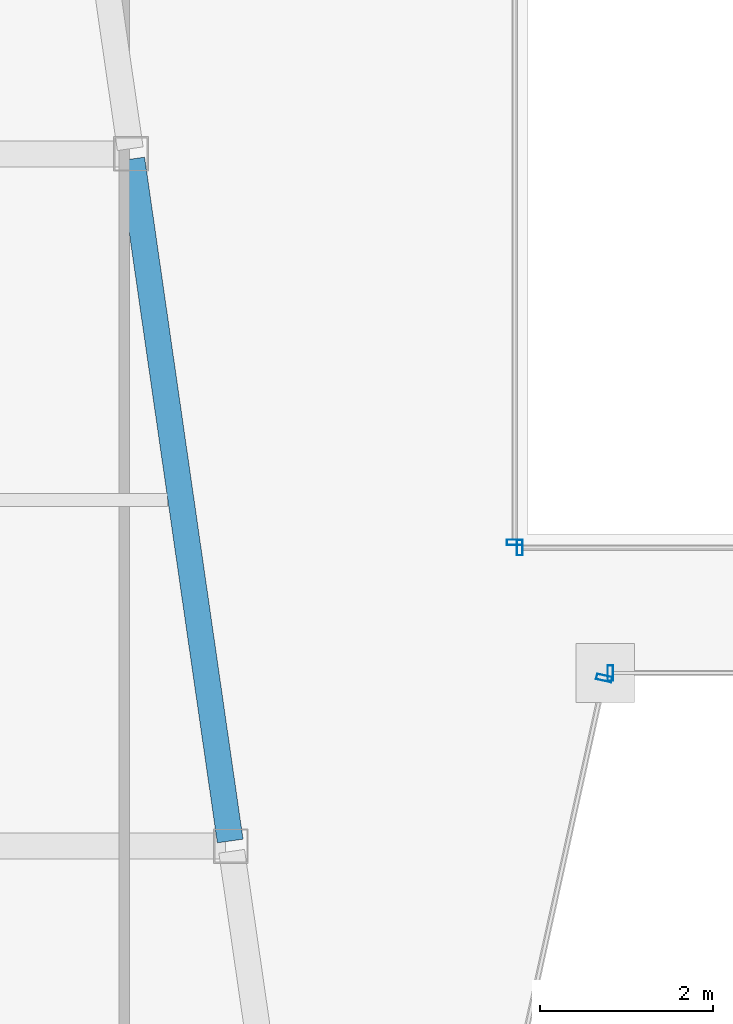
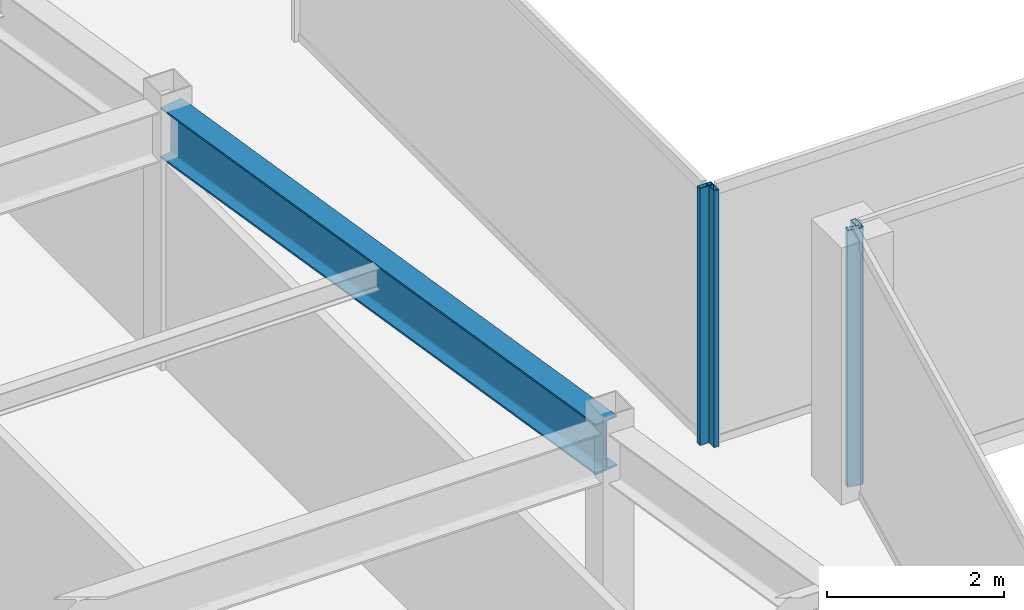
# One storey, part 7 of 36: 4 members, 1 beam, 4 elements without a shape of their own.
"""IFC4 building model written with IfcOpenShell, lengths in metres."""

from ifc_helpers import new_model, si_unit, direction, frame, origin, origin_2d, place, context, subcontext, project, spatial, hollow_rectangle, i_section, extrude, material, material_profile, profile_set, type_object, element, aggregate, save


model = new_model("IFC4")

# Units and contexts
model_context = context("Model", 3, precision=1e-05, world=origin(), true_north=direction((0.0, 1.0)))
body_context = subcontext(model_context, "Body", "Model", "MODEL_VIEW")
ifc_project = project(units=[si_unit("LENGTHUNIT", "METRE"), si_unit("AREAUNIT", "SQUARE_METRE"), si_unit("VOLUMEUNIT", "CUBIC_METRE"), si_unit("PLANEANGLEUNIT", "RADIAN"), si_unit("MASSUNIT", "GRAM", prefix="KILO")], contexts=[model_context])

# Site, building, storey
site_placement = place(None, origin())
site = spatial("IfcSite", under=ifc_project, at=site_placement, CompositionType="ELEMENT")
building_placement = place(site_placement, origin())
building = spatial("IfcBuilding", under=site, at=building_placement, Name="Saevonmaru Cultural Tower", CompositionType="ELEMENT")
storey_placement = place(building_placement, frame((0.0, 0.0, 198.0)))
storey = spatial("IfcBuildingStorey", under=building, at=storey_placement, Name="L45", CompositionType="ELEMENT", Elevation=198.0)

# Beam
ifc_material_1 = material(Name="Steel SM355", Category="steel")
ifc_material_profile_1 = material_profile(ifc_material_1, i_section(OverallWidth=0.300048828125, OverallDepth=0.699951171875, WebThickness=0.012939453125, FlangeThickness=0.02392578125, FilletRadius=0.02587890625, at=origin_2d()), Name="H-700x300x13x24")
ifc_profile_set_1 = profile_set([ifc_material_profile_1], Name="Steel SM355")
beam_type = type_object("IfcBeamType", Name="BM-G-H700", PredefinedType="BEAM", material=ifc_profile_set_1)
beam_placement = place(storey_placement, frame((20.763427734375, 24.059326171875, 3.199951171875), z_axis=(-0.142902032203, 0.989736838353, 0.0), x_axis=(-0.989736838353, -0.142902032203, 0.0)))
element("IfcBeam", 1, at=beam_placement, inside=storey, type_object=beam_type, Name="L45 West Atrium Girder 2", PredefinedType="BEAM", context=body_context, shape_type="SweptSolid", body=[
    extrude(i_section(OverallWidth=0.300048828125, OverallDepth=0.699951171875, WebThickness=0.012939453125, FlangeThickness=0.02392578125, FilletRadius=0.02587890625, at=origin_2d()), origin(), (0.0, 0.0, 1.0), 7.963134765625),
])

# Curtain wall, member
ifc_material_2 = material(Name="Satin Bronze Anodised Aluminium", Category="aluminium")
curtain_wall_type_1 = type_object("IfcCurtainWallType", Name="CW-TYP-B", PredefinedType="NOTDEFINED", material=ifc_material_2)
curtain_wall_1_placement = place(storey_placement, origin())
curtain_wall_1 = element("IfcCurtainWall", 2, at=curtain_wall_1_placement, inside=storey, type_object=curtain_wall_type_1, Name="L45 Unitised Curtain Wall E3", PredefinedType="NOTDEFINED")
ifc_material_profile_2 = material_profile(ifc_material_2, hollow_rectangle(XDim=0.06494140625, YDim=0.179931640625, WallThickness=0.00390625, at=origin_2d()), Name="ALU-MULL-180x65x4")
ifc_profile_set_2 = profile_set([ifc_material_profile_2], Name="Satin Bronze Anodised Aluminium")
member_type_1 = type_object("IfcMemberType", Name="ML-CW-180x65", PredefinedType="MULLION", material=ifc_profile_set_2)
member_1_placement = place(storey_placement, frame((25.0849609375, 25.94140625, 0.0), z_axis=(0.0, 0.0, 1.0), x_axis=(0.215413319953, 0.976522965212, 0.0)))
member_1 = element("IfcMember", 3, at=member_1_placement, type_object=member_type_1, Name="CW-TW-L45-E3 mullion 2", PredefinedType="MULLION", context=body_context, shape_type="SweptSolid", body=[
    extrude(hollow_rectangle(XDim=0.06494140625, YDim=0.179931640625, WallThickness=0.00390625, at=origin_2d()), origin(), (0.0, 0.0, 1.0), 3.550048828125),
])
aggregate(curtain_wall_1, [member_1])

curtain_wall_2_placement = place(storey_placement, origin())
curtain_wall_2 = element("IfcCurtainWall", 4, at=curtain_wall_2_placement, inside=storey, type_object=curtain_wall_type_1, Name="L45 Unitised Curtain Wall E4", PredefinedType="NOTDEFINED")
member_2_placement = place(storey_placement, frame((25.15771484375, 26.0, 0.0), z_axis=(0.0, 0.0, 1.0), x_axis=(1.0, 0.0, 0.0)))
member_2 = element("IfcMember", 5, at=member_2_placement, type_object=member_type_1, Name="CW-TW-L45-E4 mullion 1", PredefinedType="MULLION", context=body_context, shape_type="SweptSolid", body=[
    extrude(hollow_rectangle(XDim=0.06494140625, YDim=0.179931640625, WallThickness=0.00390625, at=origin_2d()), origin(), (0.0, 0.0, 1.0), 3.550048828125),
])
aggregate(curtain_wall_2, [member_2])

curtain_wall_type_2 = type_object("IfcCurtainWallType", Name="CW-ATR-GLZ", PredefinedType="NOTDEFINED", material=ifc_material_2)
curtain_wall_3_placement = place(storey_placement, origin())
curtain_wall_3 = element("IfcCurtainWall", 6, at=curtain_wall_3_placement, inside=storey, type_object=curtain_wall_type_2, Name="L45 Vertical Atrium Glazed Smoke Screen 1", PredefinedType="NOTDEFINED")
ifc_material_profile_3 = material_profile(ifc_material_2, hollow_rectangle(XDim=0.06494140625, YDim=0.179931640625, WallThickness=0.00390625, at=origin_2d()), Name="ALU-MULL-180x65x4")
ifc_profile_set_3 = profile_set([ifc_material_profile_3], Name="Satin Bronze Anodised Aluminium")
member_type_2 = type_object("IfcMemberType", Name="ML-CW-INT-180x65", PredefinedType="MULLION", material=ifc_profile_set_3)
member_3_placement = place(storey_placement, frame((24.110107421875, 27.449951171875, 0.0), z_axis=(0.0, 0.0, 1.0), x_axis=(1.0, 0.0, 0.0)))
member_3 = element("IfcMember", 7, at=member_3_placement, type_object=member_type_2, Name="CW-ATR-L45-1 mullion 1", PredefinedType="MULLION", context=body_context, shape_type="SweptSolid", body=[
    extrude(hollow_rectangle(XDim=0.06494140625, YDim=0.179931640625, WallThickness=0.00390625, at=origin_2d()), origin(), (0.0, 0.0, 1.0), 3.550048828125),
])
aggregate(curtain_wall_3, [member_3])

curtain_wall_4_placement = place(storey_placement, origin())
curtain_wall_4 = element("IfcCurtainWall", 8, at=curtain_wall_4_placement, inside=storey, type_object=curtain_wall_type_2, Name="L45 Vertical Atrium Glazed Smoke Screen 4", PredefinedType="NOTDEFINED")
member_4_placement = place(storey_placement, frame((24.050048828125, 27.510009765625, 0.0), z_axis=(0.0, 0.0, 1.0), x_axis=(0.0, -1.0, 0.0)))
member_4 = element("IfcMember", 9, at=member_4_placement, type_object=member_type_2, Name="CW-ATR-L45-4 mullion 2", PredefinedType="MULLION", context=body_context, shape_type="SweptSolid", body=[
    extrude(hollow_rectangle(XDim=0.06494140625, YDim=0.179931640625, WallThickness=0.00390625, at=origin_2d()), origin(), (0.0, 0.0, 1.0), 3.550048828125),
])
aggregate(curtain_wall_4, [member_4])

save(model, "model.ifc")
